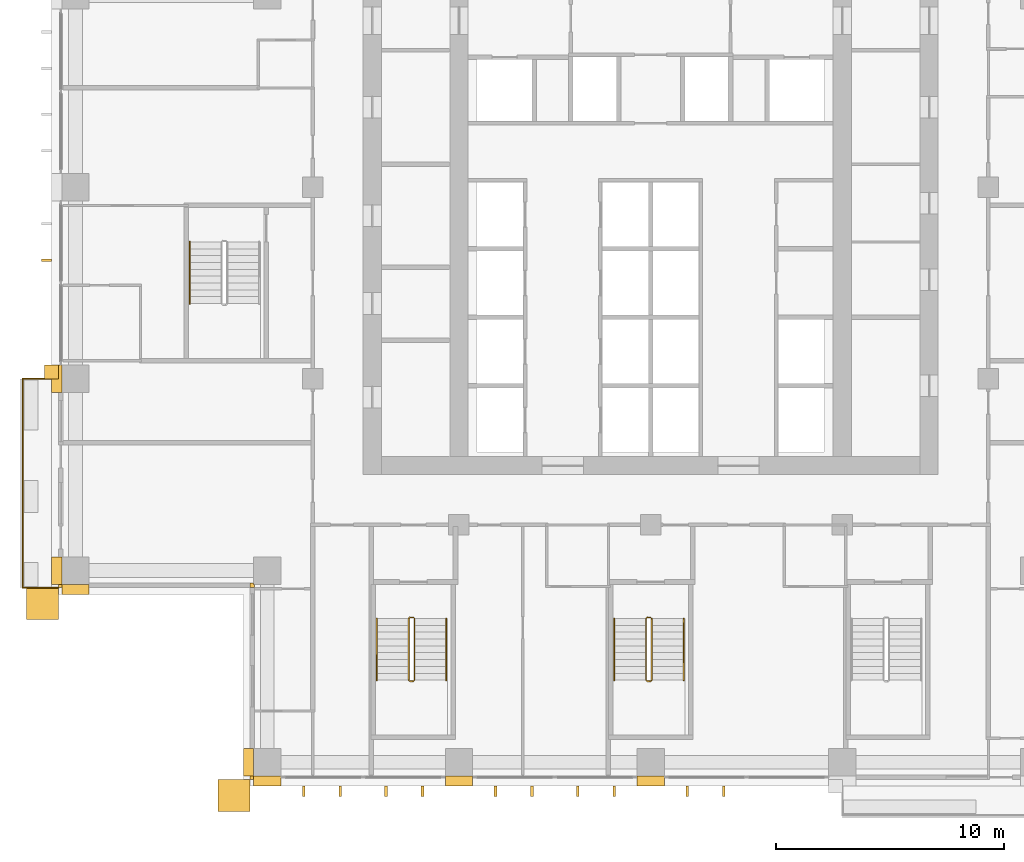
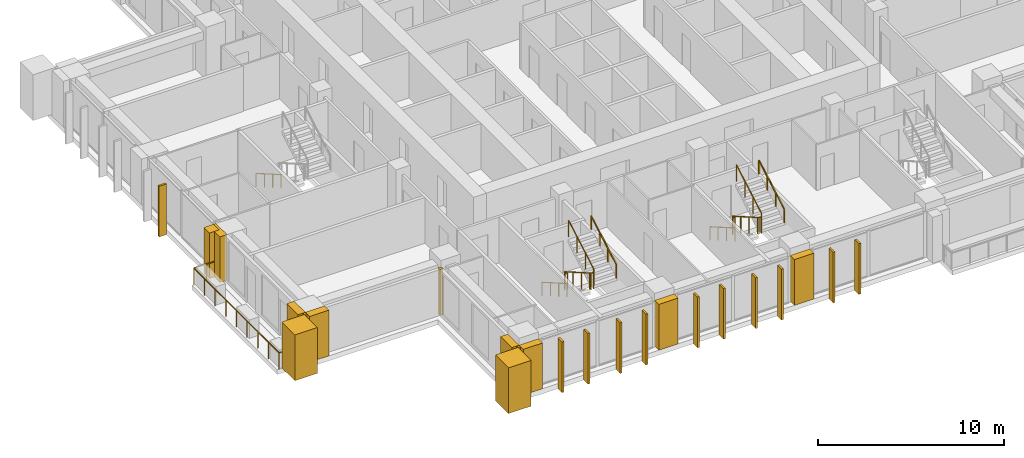
# One storey, part 17 of 21: 24 coverings, 8 railings.
"""IFC4 building model written with IfcOpenShell, lengths in metres."""

from ifc_helpers import new_model, si_unit, direction, frame, origin, origin_2d, place, context, subcontext, project, spatial, polyline, rectangle, outline, extrude, material, layer, layer_set, type_object, element, save


model = new_model("IFC4")

# Units and contexts
model_context = context("Model", 3, precision=1e-05, world=origin(), true_north=direction((0.0, 1.0)))
body_context = subcontext(model_context, "Body", "Model", "MODEL_VIEW")
ifc_project = project(units=[si_unit("LENGTHUNIT", "METRE"), si_unit("AREAUNIT", "SQUARE_METRE"), si_unit("VOLUMEUNIT", "CUBIC_METRE"), si_unit("PLANEANGLEUNIT", "RADIAN"), si_unit("MASSUNIT", "GRAM", prefix="KILO")], contexts=[model_context])

# Site, building, storey
site_placement = place(None, origin())
site = spatial("IfcSite", under=ifc_project, at=site_placement, CompositionType="ELEMENT")
building_placement = place(site_placement, origin())
building = spatial("IfcBuilding", under=site, at=building_placement, Name="Vermilion Ogive Tower", CompositionType="ELEMENT")
storey_placement = place(building_placement, frame((0.0, 0.0, 118.35009765625)))
storey = spatial("IfcBuildingStorey", under=building, at=storey_placement, Name="L30", CompositionType="ELEMENT", Elevation=118.35009765625)

# Railing
ifc_material_1 = material(Name="Stainless steel and glass", Category="steel")
railing_type_1 = type_object("IfcRailingType", Name="Balcony guard", PredefinedType="GUARDRAIL", material=ifc_material_1)
railing_1_placement = place(storey_placement, frame((-25.949951171875, -4.199951171875, -0.0400390625)))
element("IfcRailing", 1, at=railing_1_placement, inside=storey, type_object=railing_type_1, Name="Guard W03", PredefinedType="GUARDRAIL", context=body_context, shape_type="SweptSolid", body=[
    extrude(rectangle(XDim=0.048095703125, YDim=0.048095703125, at=origin_2d()), frame((0.0, 0.0, 1.076171875), z_axis=(-1.0, 0.0, 0.0), x_axis=(0.0, -1.0, 0.0)), (0.0, 0.0, 1.0), 1.56396484375),
    extrude(rectangle(XDim=0.048095703125, YDim=0.048095703125, at=origin_2d()), frame((-1.56396484375, 0.0, 1.076171875), z_axis=(0.0, -1.0, 0.0), x_axis=(1.0, 0.0, 0.0)), (0.0, 0.0, 1.0), 9.150146484375),
    extrude(rectangle(XDim=0.048095703125, YDim=0.048095703125, at=origin_2d()), frame((-1.56396484375, -9.150146484375, 1.076171875), z_axis=(1.0, 0.0, 0.0), x_axis=(0.0, 1.0, 0.0)), (0.0, 0.0, 1.0), 1.56396484375),
    extrude(rectangle(XDim=0.0419921875, YDim=0.0419921875, at=origin_2d()), origin(), (0.0, 0.0, 1.0), 1.052001953125),
    extrude(rectangle(XDim=0.0419921875, YDim=0.0419921875, at=origin_2d()), frame((-0.781982421875, 0.0, 0.0)), (0.0, 0.0, 1.0), 1.052001953125),
    extrude(rectangle(XDim=0.0419921875, YDim=0.0419921875, at=origin_2d()), frame((-1.56396484375, 0.0, 0.0)), (0.0, 0.0, 1.0), 1.052001953125),
    extrude(rectangle(XDim=0.0419921875, YDim=0.0419921875, at=origin_2d()), frame((-1.56396484375, -1.143798828125, 0.0)), (0.0, 0.0, 1.0), 1.052001953125),
    extrude(rectangle(XDim=0.0419921875, YDim=0.0419921875, at=origin_2d()), frame((-1.56396484375, -2.28759765625, 0.0)), (0.0, 0.0, 1.0), 1.052001953125),
    extrude(rectangle(XDim=0.0419921875, YDim=0.0419921875, at=origin_2d()), frame((-1.56396484375, -3.431396484375, 0.0)), (0.0, 0.0, 1.0), 1.052001953125),
    extrude(rectangle(XDim=0.0419921875, YDim=0.0419921875, at=origin_2d()), frame((-1.56396484375, -4.5751953125, 0.0)), (0.0, 0.0, 1.0), 1.052001953125),
    extrude(rectangle(XDim=0.0419921875, YDim=0.0419921875, at=origin_2d()), frame((-1.56396484375, -5.71875, 0.0)), (0.0, 0.0, 1.0), 1.052001953125),
    extrude(rectangle(XDim=0.0419921875, YDim=0.0419921875, at=origin_2d()), frame((-1.56396484375, -6.862548828125, 0.0)), (0.0, 0.0, 1.0), 1.052001953125),
    extrude(rectangle(XDim=0.0419921875, YDim=0.0419921875, at=origin_2d()), frame((-1.56396484375, -8.00634765625, 0.0)), (0.0, 0.0, 1.0), 1.052001953125),
    extrude(rectangle(XDim=0.0419921875, YDim=0.0419921875, at=origin_2d()), frame((-1.56396484375, -9.150146484375, 0.0)), (0.0, 0.0, 1.0), 1.052001953125),
    extrude(rectangle(XDim=0.0419921875, YDim=0.0419921875, at=origin_2d()), frame((-0.781982421875, -9.150146484375, 0.0)), (0.0, 0.0, 1.0), 1.052001953125),
    extrude(rectangle(XDim=0.0419921875, YDim=0.0419921875, at=origin_2d()), frame((0.0, -9.150146484375, 0.0)), (0.0, 0.0, 1.0), 1.052001953125),
])

# Coverings
ifc_material_2 = material(Name="Glazed ceramic screen")
ifc_layer = layer(ifc_material_2, 0.14990234375)
ifc_layer_set = layer_set([ifc_layer], Name="Ceramic solar screen fin")
covering_type_1 = type_object("IfcCoveringType", Name="Ceramic solar screen fin", PredefinedType="CLADDING", material=ifc_layer_set)
covering_1_placement = place(storey_placement, frame((0.0, 0.0, -0.320068359375)))
element("IfcCovering", 2, at=covering_1_placement, inside=storey, type_object=covering_type_1, Name="Solar screen blade S961", PredefinedType="CLADDING", context=body_context, shape_type="SweptSolid", body=[
    extrude(outline(polyline([(-15.260009765625, -22.5), (-15.139892578125, -22.5), (-15.139892578125, -22.050048828125), (-15.260009765625, -22.050048828125), (-15.260009765625, -22.5)])), origin(), (0.0, 0.0, 1.0), 3.320068359375),
])
covering_2_placement = place(storey_placement, frame((0.0, 0.0, -0.320068359375)))
element("IfcCovering", 3, at=covering_2_placement, inside=storey, type_object=covering_type_1, Name="Solar screen blade S962", PredefinedType="CLADDING", context=body_context, shape_type="SweptSolid", body=[
    extrude(outline(polyline([(-13.659912109375, -22.5), (-13.5400390625, -22.5), (-13.5400390625, -22.050048828125), (-13.659912109375, -22.050048828125), (-13.659912109375, -22.5)])), origin(), (0.0, 0.0, 1.0), 3.320068359375),
])
covering_3_placement = place(storey_placement, frame((0.0, 0.0, -0.320068359375)))
element("IfcCovering", 4, at=covering_3_placement, inside=storey, type_object=covering_type_1, Name="Solar screen blade S971", PredefinedType="CLADDING", context=body_context, shape_type="SweptSolid", body=[
    extrude(outline(polyline([(-11.659912109375, -22.5), (-11.5400390625, -22.5), (-11.5400390625, -22.050048828125), (-11.659912109375, -22.050048828125), (-11.659912109375, -22.5)])), origin(), (0.0, 0.0, 1.0), 3.320068359375),
])
covering_4_placement = place(storey_placement, frame((0.0, 0.0, -0.320068359375)))
element("IfcCovering", 5, at=covering_4_placement, inside=storey, type_object=covering_type_1, Name="Solar screen blade S972", PredefinedType="CLADDING", context=body_context, shape_type="SweptSolid", body=[
    extrude(outline(polyline([(-10.06005859375, -22.5), (-9.93994140625, -22.5), (-9.93994140625, -22.050048828125), (-10.06005859375, -22.050048828125), (-10.06005859375, -22.5)])), origin(), (0.0, 0.0, 1.0), 3.320068359375),
])
covering_5_placement = place(storey_placement, frame((0.0, 0.0, -0.320068359375)))
element("IfcCovering", 6, at=covering_5_placement, inside=storey, type_object=covering_type_1, Name="Solar screen blade S981", PredefinedType="CLADDING", context=body_context, shape_type="SweptSolid", body=[
    extrude(outline(polyline([(-6.860107421875, -22.5), (-6.739990234375, -22.5), (-6.739990234375, -22.050048828125), (-6.860107421875, -22.050048828125), (-6.860107421875, -22.5)])), origin(), (0.0, 0.0, 1.0), 3.320068359375),
])
covering_6_placement = place(storey_placement, frame((0.0, 0.0, -0.320068359375)))
element("IfcCovering", 7, at=covering_6_placement, inside=storey, type_object=covering_type_1, Name="Solar screen blade S982", PredefinedType="CLADDING", context=body_context, shape_type="SweptSolid", body=[
    extrude(outline(polyline([(-5.260009765625, -22.5), (-5.139892578125, -22.5), (-5.139892578125, -22.050048828125), (-5.260009765625, -22.050048828125), (-5.260009765625, -22.5)])), origin(), (0.0, 0.0, 1.0), 3.320068359375),
])
covering_7_placement = place(storey_placement, frame((0.0, 0.0, -0.320068359375)))
element("IfcCovering", 8, at=covering_7_placement, inside=storey, type_object=covering_type_1, Name="Solar screen blade S991", PredefinedType="CLADDING", context=body_context, shape_type="SweptSolid", body=[
    extrude(outline(polyline([(-3.260009765625, -22.5), (-3.139892578125, -22.5), (-3.139892578125, -22.050048828125), (-3.260009765625, -22.050048828125), (-3.260009765625, -22.5)])), origin(), (0.0, 0.0, 1.0), 3.320068359375),
])
covering_8_placement = place(storey_placement, frame((0.0, 0.0, -0.320068359375)))
element("IfcCovering", 9, at=covering_8_placement, inside=storey, type_object=covering_type_1, Name="Solar screen blade S992", PredefinedType="CLADDING", context=body_context, shape_type="SweptSolid", body=[
    extrude(outline(polyline([(-1.659912109375, -22.5), (-1.5400390625, -22.5), (-1.5400390625, -22.050048828125), (-1.659912109375, -22.050048828125), (-1.659912109375, -22.5)])), origin(), (0.0, 0.0, 1.0), 3.320068359375),
])
covering_9_placement = place(storey_placement, frame((0.0, 0.0, -0.320068359375)))
element("IfcCovering", 10, at=covering_9_placement, inside=storey, type_object=covering_type_1, Name="Solar screen blade S001", PredefinedType="CLADDING", context=body_context, shape_type="SweptSolid", body=[
    extrude(outline(polyline([(1.5400390625, -22.5), (1.659912109375, -22.5), (1.659912109375, -22.050048828125), (1.5400390625, -22.050048828125), (1.5400390625, -22.5)])), origin(), (0.0, 0.0, 1.0), 3.320068359375),
])
covering_10_placement = place(storey_placement, frame((0.0, 0.0, -0.320068359375)))
element("IfcCovering", 11, at=covering_10_placement, inside=storey, type_object=covering_type_1, Name="Solar screen blade S002", PredefinedType="CLADDING", context=body_context, shape_type="SweptSolid", body=[
    extrude(outline(polyline([(3.139892578125, -22.5), (3.260009765625, -22.5), (3.260009765625, -22.050048828125), (3.139892578125, -22.050048828125), (3.139892578125, -22.5)])), origin(), (0.0, 0.0, 1.0), 3.320068359375),
])
covering_11_placement = place(storey_placement, frame((0.0, 0.0, -0.320068359375)))
element("IfcCovering", 12, at=covering_11_placement, inside=storey, type_object=covering_type_1, Name="Solar screen blade W002", PredefinedType="CLADDING", context=body_context, shape_type="SweptSolid", body=[
    extrude(outline(polyline([(-26.699951171875, 1.06005859375), (-26.699951171875, 0.93994140625), (-26.25, 0.93994140625), (-26.25, 1.06005859375), (-26.699951171875, 1.06005859375)])), origin(), (0.0, 0.0, 1.0), 3.320068359375),
])

# Railings
ifc_material_3 = material(Name="Steel S355 painted", Category="steel")
railing_type_2 = type_object("IfcRailingType", Name="Stair guard 1100", PredefinedType="GUARDRAIL", material=ifc_material_3)
railing_2_placement = place(storey_placement, frame((-10.39990234375, -14.64990234375, 0.0)))
element("IfcRailing", 13, at=railing_2_placement, inside=storey, type_object=railing_type_2, Name="L30 ST3 stair guard 4", PredefinedType="GUARDRAIL", context=body_context, shape_type="SweptSolid", body=[
    extrude(rectangle(XDim=0.048095703125, YDim=0.048095703125, at=origin_2d()), frame((0.0, 0.0, 1.076171875), z_axis=(-1.0, 0.0, 0.0), x_axis=(0.0, -1.0, 0.0)), (0.0, 0.0, 1.0), 0.150146484375),
    extrude(rectangle(XDim=0.048095703125, YDim=0.048095703125, at=origin_2d()), frame((-0.150146484375, 0.0, 1.076171875), z_axis=(-0.268603158521, -0.268603158521, 0.925043072762), x_axis=(0.707106781187, -0.707106781187, 0.0)), (0.0, 0.0, 1.0), 0.186279296875),
    extrude(rectangle(XDim=0.048095703125, YDim=0.048095703125, at=origin_2d()), frame((-0.2001953125, -0.050048828125, 1.24853515625), z_axis=(0.0, -0.866903762492, 0.498475542607), x_axis=(1.0, 0.0, 0.0)), (0.0, 0.0, 1.0), 3.114501953125),
    extrude(rectangle(XDim=0.048095703125, YDim=0.048095703125, at=origin_2d()), frame((-0.2001953125, -2.75, 2.80078125), z_axis=(0.707106781187, -0.707106781187, 0.0), x_axis=(0.707106781187, 0.707106781187, 0.0)), (0.0, 0.0, 1.0), 0.07080078125),
    extrude(rectangle(XDim=0.048095703125, YDim=0.048095703125, at=origin_2d()), frame((-0.150146484375, -2.800048828125, 2.80078125), z_axis=(1.0, 0.0, 0.0), x_axis=(0.0, 1.0, 0.0)), (0.0, 0.0, 1.0), 0.150146484375),
    extrude(rectangle(XDim=0.048095703125, YDim=0.048095703125, at=origin_2d()), frame((0.0, -2.800048828125, 2.80078125), z_axis=(0.267062837333, 0.268371968888, 0.925556009775), x_axis=(-0.708833529934, 0.705375805398, 0.0)), (0.0, 0.0, 1.0), 0.1865234375),
    extrude(rectangle(XDim=0.048095703125, YDim=0.048095703125, at=origin_2d()), frame((0.0498046875, -2.75, 2.9736328125), z_axis=(0.0, 0.866903762492, 0.498475542607), x_axis=(-1.0, 0.0, 0.0)), (0.0, 0.0, 1.0), 3.114501953125),
    extrude(rectangle(XDim=0.0419921875, YDim=0.0419921875, at=origin_2d()), origin(), (0.0, 0.0, 1.0), 1.052001953125),
    extrude(rectangle(XDim=0.0419921875, YDim=0.0419921875, at=origin_2d()), frame((-0.150146484375, 0.0, 0.0)), (0.0, 0.0, 1.0), 1.052001953125),
    extrude(rectangle(XDim=0.0419921875, YDim=0.0419921875, at=origin_2d()), frame((-0.2001953125, -0.050048828125, 0.17236328125)), (0.0, 0.0, 1.0), 1.052001953125),
    extrude(rectangle(XDim=0.0419921875, YDim=0.0419921875, at=origin_2d()), frame((-0.2001953125, -0.949951171875, 0.68994140625)), (0.0, 0.0, 1.0), 1.052001953125),
    extrude(rectangle(XDim=0.0419921875, YDim=0.0419921875, at=origin_2d()), frame((-0.2001953125, -1.85009765625, 1.207275390625)), (0.0, 0.0, 1.0), 1.052001953125),
    extrude(rectangle(XDim=0.0419921875, YDim=0.0419921875, at=origin_2d()), frame((-0.2001953125, -2.75, 1.724853515625)), (0.0, 0.0, 1.0), 1.052001953125),
    extrude(rectangle(XDim=0.0419921875, YDim=0.0419921875, at=origin_2d()), frame((-0.150146484375, -2.800048828125, 1.724853515625)), (0.0, 0.0, 1.0), 1.052001953125),
    extrude(rectangle(XDim=0.0419921875, YDim=0.0419921875, at=origin_2d()), frame((0.0, -2.800048828125, 1.724853515625)), (0.0, 0.0, 1.0), 1.052001953125),
    extrude(rectangle(XDim=0.0419921875, YDim=0.0419921875, at=origin_2d()), frame((0.0498046875, -2.75, 1.8974609375)), (0.0, 0.0, 1.0), 1.052001953125),
    extrude(rectangle(XDim=0.0419921875, YDim=0.0419921875, at=origin_2d()), frame((0.0498046875, -1.85009765625, 2.4150390625)), (0.0, 0.0, 1.0), 1.052001953125),
    extrude(rectangle(XDim=0.0419921875, YDim=0.0419921875, at=origin_2d()), frame((0.0498046875, -0.949951171875, 2.932373046875)), (0.0, 0.0, 1.0), 1.052001953125),
    extrude(rectangle(XDim=0.0419921875, YDim=0.0419921875, at=origin_2d()), frame((0.0498046875, -0.050048828125, 3.449951171875)), (0.0, 0.0, 1.0), 1.052001953125),
])
railing_3_placement = place(storey_placement, frame((0.0, -14.64990234375, 0.0)))
element("IfcRailing", 14, at=railing_3_placement, inside=storey, type_object=railing_type_2, Name="L30 ST4 stair guard 4", PredefinedType="GUARDRAIL", context=body_context, shape_type="SweptSolid", body=[
    extrude(rectangle(XDim=0.048095703125, YDim=0.048095703125, at=origin_2d()), frame((0.0, 0.0, 1.076171875), z_axis=(-1.0, 0.0, 0.0), x_axis=(0.0, -1.0, 0.0)), (0.0, 0.0, 1.0), 0.14990234375),
    extrude(rectangle(XDim=0.048095703125, YDim=0.048095703125, at=origin_2d()), frame((-0.14990234375, 0.0, 1.076171875), z_axis=(-0.268603158521, -0.268603158521, 0.925043072762), x_axis=(0.707106781187, -0.707106781187, 0.0)), (0.0, 0.0, 1.0), 0.186279296875),
    extrude(rectangle(XDim=0.048095703125, YDim=0.048095703125, at=origin_2d()), frame((-0.199951171875, -0.050048828125, 1.24853515625), z_axis=(0.0, -0.866903762492, 0.498475542607), x_axis=(1.0, 0.0, 0.0)), (0.0, 0.0, 1.0), 3.114501953125),
    extrude(rectangle(XDim=0.048095703125, YDim=0.048095703125, at=origin_2d()), frame((-0.199951171875, -2.75, 2.80078125), z_axis=(0.707106781187, -0.707106781187, 0.0), x_axis=(0.707106781187, 0.707106781187, 0.0)), (0.0, 0.0, 1.0), 0.07080078125),
    extrude(rectangle(XDim=0.048095703125, YDim=0.048095703125, at=origin_2d()), frame((-0.14990234375, -2.800048828125, 2.80078125), z_axis=(1.0, 0.0, 0.0), x_axis=(0.0, 1.0, 0.0)), (0.0, 0.0, 1.0), 0.14990234375),
    extrude(rectangle(XDim=0.048095703125, YDim=0.048095703125, at=origin_2d()), frame((0.0, -2.800048828125, 2.80078125), z_axis=(0.268277960024, 0.268277960024, 0.925231793839), x_axis=(-0.707106781187, 0.707106781187, 0.0)), (0.0, 0.0, 1.0), 0.1865234375),
    extrude(rectangle(XDim=0.048095703125, YDim=0.048095703125, at=origin_2d()), frame((0.050048828125, -2.75, 2.9736328125), z_axis=(0.0, 0.866903762492, 0.498475542607), x_axis=(-1.0, 0.0, 0.0)), (0.0, 0.0, 1.0), 3.114501953125),
    extrude(rectangle(XDim=0.0419921875, YDim=0.0419921875, at=origin_2d()), origin(), (0.0, 0.0, 1.0), 1.052001953125),
    extrude(rectangle(XDim=0.0419921875, YDim=0.0419921875, at=origin_2d()), frame((-0.14990234375, 0.0, 0.0)), (0.0, 0.0, 1.0), 1.052001953125),
    extrude(rectangle(XDim=0.0419921875, YDim=0.0419921875, at=origin_2d()), frame((-0.199951171875, -0.050048828125, 0.17236328125)), (0.0, 0.0, 1.0), 1.052001953125),
    extrude(rectangle(XDim=0.0419921875, YDim=0.0419921875, at=origin_2d()), frame((-0.199951171875, -0.949951171875, 0.68994140625)), (0.0, 0.0, 1.0), 1.052001953125),
    extrude(rectangle(XDim=0.0419921875, YDim=0.0419921875, at=origin_2d()), frame((-0.199951171875, -1.85009765625, 1.207275390625)), (0.0, 0.0, 1.0), 1.052001953125),
    extrude(rectangle(XDim=0.0419921875, YDim=0.0419921875, at=origin_2d()), frame((-0.199951171875, -2.75, 1.724853515625)), (0.0, 0.0, 1.0), 1.052001953125),
    extrude(rectangle(XDim=0.0419921875, YDim=0.0419921875, at=origin_2d()), frame((-0.14990234375, -2.800048828125, 1.724853515625)), (0.0, 0.0, 1.0), 1.052001953125),
    extrude(rectangle(XDim=0.0419921875, YDim=0.0419921875, at=origin_2d()), frame((0.0, -2.800048828125, 1.724853515625)), (0.0, 0.0, 1.0), 1.052001953125),
    extrude(rectangle(XDim=0.0419921875, YDim=0.0419921875, at=origin_2d()), frame((0.050048828125, -2.75, 1.8974609375)), (0.0, 0.0, 1.0), 1.052001953125),
    extrude(rectangle(XDim=0.0419921875, YDim=0.0419921875, at=origin_2d()), frame((0.050048828125, -1.85009765625, 2.4150390625)), (0.0, 0.0, 1.0), 1.052001953125),
    extrude(rectangle(XDim=0.0419921875, YDim=0.0419921875, at=origin_2d()), frame((0.050048828125, -0.949951171875, 2.932373046875)), (0.0, 0.0, 1.0), 1.052001953125),
    extrude(rectangle(XDim=0.0419921875, YDim=0.0419921875, at=origin_2d()), frame((0.050048828125, -0.050048828125, 3.449951171875)), (0.0, 0.0, 1.0), 1.052001953125),
])
ifc_material_4 = material(Name="Stainless steel", Category="steel")
railing_type_3 = type_object("IfcRailingType", Name="Stair handrail 900", PredefinedType="HANDRAIL", material=ifc_material_4)
railing_4_placement = place(storey_placement, frame((-12.0, -14.699951171875, 0.17236328125)))
element("IfcRailing", 15, at=railing_4_placement, inside=storey, type_object=railing_type_3, Name="L30 ST3 stair handrail 1", PredefinedType="HANDRAIL", context=body_context, shape_type="SweptSolid", body=[
    extrude(rectangle(XDim=0.048095703125, YDim=0.048095703125, at=origin_2d()), frame((0.0, 0.0, 0.8759765625), z_axis=(0.0, -0.866903762492, 0.498475542607), x_axis=(1.0, 0.0, 0.0)), (0.0, 0.0, 1.0), 3.114501953125),
    extrude(rectangle(XDim=0.0419921875, YDim=0.0419921875, at=origin_2d()), origin(), (0.0, 0.0, 1.0), 0.851806640625),
    extrude(rectangle(XDim=0.0419921875, YDim=0.0419921875, at=origin_2d()), frame((0.0, -0.89990234375, 0.517578125)), (0.0, 0.0, 1.0), 0.851806640625),
    extrude(rectangle(XDim=0.0419921875, YDim=0.0419921875, at=origin_2d()), frame((0.0, -1.800048828125, 1.034912109375)), (0.0, 0.0, 1.0), 0.851806640625),
    extrude(rectangle(XDim=0.0419921875, YDim=0.0419921875, at=origin_2d()), frame((0.0, -2.699951171875, 1.552490234375)), (0.0, 0.0, 1.0), 0.851806640625),
])
railing_5_placement = place(storey_placement, frame((-8.949951171875, -17.39990234375, 1.8974609375)))
element("IfcRailing", 16, at=railing_5_placement, inside=storey, type_object=railing_type_3, Name="L30 ST3 stair handrail 2", PredefinedType="HANDRAIL", context=body_context, shape_type="SweptSolid", body=[
    extrude(rectangle(XDim=0.048095703125, YDim=0.048095703125, at=origin_2d()), frame((0.0, 0.0, 0.8759765625), z_axis=(0.0, 0.866903762492, 0.498475542607), x_axis=(-1.0, 0.0, 0.0)), (0.0, 0.0, 1.0), 3.114501953125),
    extrude(rectangle(XDim=0.0419921875, YDim=0.0419921875, at=origin_2d()), origin(), (0.0, 0.0, 1.0), 0.851806640625),
    extrude(rectangle(XDim=0.0419921875, YDim=0.0419921875, at=origin_2d()), frame((0.0, 0.89990234375, 0.517578125)), (0.0, 0.0, 1.0), 0.851806640625),
    extrude(rectangle(XDim=0.0419921875, YDim=0.0419921875, at=origin_2d()), frame((0.0, 1.800048828125, 1.034912109375)), (0.0, 0.0, 1.0), 0.851806640625),
    extrude(rectangle(XDim=0.0419921875, YDim=0.0419921875, at=origin_2d()), frame((0.0, 2.699951171875, 1.552490234375)), (0.0, 0.0, 1.0), 0.851806640625),
])
railing_6_placement = place(storey_placement, frame((-1.60009765625, -14.699951171875, 0.17236328125)))
element("IfcRailing", 17, at=railing_6_placement, inside=storey, type_object=railing_type_3, Name="L30 ST4 stair handrail 1", PredefinedType="HANDRAIL", context=body_context, shape_type="SweptSolid", body=[
    extrude(rectangle(XDim=0.048095703125, YDim=0.048095703125, at=origin_2d()), frame((0.0, 0.0, 0.8759765625), z_axis=(0.0, -0.866903762492, 0.498475542607), x_axis=(1.0, 0.0, 0.0)), (0.0, 0.0, 1.0), 3.114501953125),
    extrude(rectangle(XDim=0.0419921875, YDim=0.0419921875, at=origin_2d()), origin(), (0.0, 0.0, 1.0), 0.851806640625),
    extrude(rectangle(XDim=0.0419921875, YDim=0.0419921875, at=origin_2d()), frame((0.0, -0.89990234375, 0.517578125)), (0.0, 0.0, 1.0), 0.851806640625),
    extrude(rectangle(XDim=0.0419921875, YDim=0.0419921875, at=origin_2d()), frame((0.0, -1.800048828125, 1.034912109375)), (0.0, 0.0, 1.0), 0.851806640625),
    extrude(rectangle(XDim=0.0419921875, YDim=0.0419921875, at=origin_2d()), frame((0.0, -2.699951171875, 1.552490234375)), (0.0, 0.0, 1.0), 0.851806640625),
])
railing_7_placement = place(storey_placement, frame((1.449951171875, -17.39990234375, 1.8974609375)))
element("IfcRailing", 18, at=railing_7_placement, inside=storey, type_object=railing_type_3, Name="L30 ST4 stair handrail 2", PredefinedType="HANDRAIL", context=body_context, shape_type="SweptSolid", body=[
    extrude(rectangle(XDim=0.048095703125, YDim=0.048095703125, at=origin_2d()), frame((0.0, 0.0, 0.8759765625), z_axis=(0.0, 0.866903762492, 0.498475542607), x_axis=(-1.0, 0.0, 0.0)), (0.0, 0.0, 1.0), 3.114501953125),
    extrude(rectangle(XDim=0.0419921875, YDim=0.0419921875, at=origin_2d()), origin(), (0.0, 0.0, 1.0), 0.851806640625),
    extrude(rectangle(XDim=0.0419921875, YDim=0.0419921875, at=origin_2d()), frame((0.0, 0.89990234375, 0.517578125)), (0.0, 0.0, 1.0), 0.851806640625),
    extrude(rectangle(XDim=0.0419921875, YDim=0.0419921875, at=origin_2d()), frame((0.0, 1.800048828125, 1.034912109375)), (0.0, 0.0, 1.0), 0.851806640625),
    extrude(rectangle(XDim=0.0419921875, YDim=0.0419921875, at=origin_2d()), frame((0.0, 2.699951171875, 1.552490234375)), (0.0, 0.0, 1.0), 0.851806640625),
])
railing_8_placement = place(storey_placement, frame((-20.199951171875, 1.800048828125, 0.17236328125)))
element("IfcRailing", 19, at=railing_8_placement, inside=storey, type_object=railing_type_3, Name="L30 ST9 stair handrail 1", PredefinedType="HANDRAIL", context=body_context, shape_type="SweptSolid", body=[
    extrude(rectangle(XDim=0.048095703125, YDim=0.048095703125, at=origin_2d()), frame((0.0, 0.0, 0.8759765625), z_axis=(0.0, -0.866903762492, 0.498475542607), x_axis=(1.0, 0.0, 0.0)), (0.0, 0.0, 1.0), 3.114501953125),
    extrude(rectangle(XDim=0.0419921875, YDim=0.0419921875, at=origin_2d()), origin(), (0.0, 0.0, 1.0), 0.851806640625),
    extrude(rectangle(XDim=0.0419921875, YDim=0.0419921875, at=origin_2d()), frame((0.0, -0.89990234375, 0.517578125)), (0.0, 0.0, 1.0), 0.851806640625),
    extrude(rectangle(XDim=0.0419921875, YDim=0.0419921875, at=origin_2d()), frame((0.0, -1.800048828125, 1.034912109375)), (0.0, 0.0, 1.0), 0.851806640625),
    extrude(rectangle(XDim=0.0419921875, YDim=0.0419921875, at=origin_2d()), frame((0.0, -2.699951171875, 1.552490234375)), (0.0, 0.0, 1.0), 0.851806640625),
])

# Coverings
ifc_material_5 = material(Name="Stone cladding", Category="masonry")
covering_type_2 = type_object("IfcCoveringType", Name="Stone corner buttress", PredefinedType="CLADDING", material=ifc_material_5)
covering_12_placement = place(storey_placement, origin())
element("IfcCovering", 20, at=covering_12_placement, inside=storey, type_object=covering_type_2, Name="Stone crease pier WK", PredefinedType="CLADDING", context=body_context, shape_type="SweptSolid", body=[
    extrude(outline(polyline([(-26.550048828125, -3.60009765625), (-26.550048828125, -4.199951171875), (-25.949951171875, -4.199951171875), (-25.949951171875, -3.60009765625), (-26.550048828125, -3.60009765625)])), origin(), (0.0, 0.0, 1.0), 3.0),
])
covering_13_placement = place(storey_placement, origin())
element("IfcCovering", 21, at=covering_13_placement, inside=storey, type_object=covering_type_2, Name="Stone corner buttress S1", PredefinedType="CLADDING", context=body_context, shape_type="SweptSolid", body=[
    extrude(outline(polyline([(-18.949951171875, -23.14990234375), (-18.949951171875, -21.75), (-17.550048828125, -21.75), (-17.550048828125, -23.14990234375), (-18.949951171875, -23.14990234375)])), origin(), (0.0, 0.0, 1.0), 3.0),
])
covering_14_placement = place(storey_placement, origin())
element("IfcCovering", 22, at=covering_14_placement, inside=storey, type_object=covering_type_2, Name="Stone corner buttress X71", PredefinedType="CLADDING", context=body_context, shape_type="SweptSolid", body=[
    extrude(outline(polyline([(-25.949951171875, -14.75), (-27.35009765625, -14.75), (-27.35009765625, -13.35009765625), (-26.25, -13.35009765625), (-25.949951171875, -13.35009765625), (-25.949951171875, -14.75)])), origin(), (0.0, 0.0, 1.0), 3.0),
])
ifc_material_6 = material(Name="Stone cladding", Category="masonry")
covering_type_3 = type_object("IfcCoveringType", Name="Stone pier", PredefinedType="CLADDING", material=ifc_material_6)
covering_15_placement = place(storey_placement, origin())
element("IfcCovering", 23, at=covering_15_placement, inside=storey, type_object=covering_type_3, Name="Stone pier P+0000-210", PredefinedType="CLADDING", context=body_context, shape_type="SweptSolid", body=[
    extrude(outline(polyline([(0.60009765625, -21.60009765625), (0.60009765625, -21.60009765625), (0.60009765625, -22.050048828125), (-0.60009765625, -22.050048828125), (-0.60009765625, -21.60009765625), (-0.60009765625, -21.60009765625), (0.60009765625, -21.60009765625)])), origin(), (0.0, 0.0, 1.0), 3.0),
])
covering_16_placement = place(storey_placement, origin())
element("IfcCovering", 24, at=covering_16_placement, inside=storey, type_object=covering_type_3, Name="Stone pier P-0084-210", PredefinedType="CLADDING", context=body_context, shape_type="SweptSolid", body=[
    extrude(outline(polyline([(-7.800048828125, -22.050048828125), (-9.0, -22.050048828125), (-9.0, -21.60009765625), (-7.800048828125, -21.60009765625), (-7.800048828125, -22.050048828125)])), origin(), (0.0, 0.0, 1.0), 3.0),
])
covering_17_placement = place(storey_placement, origin())
element("IfcCovering", 25, at=covering_17_placement, inside=storey, type_object=covering_type_3, Name="Stone pier P-0168-210S", PredefinedType="CLADDING", context=body_context, shape_type="SweptSolid", body=[
    extrude(outline(polyline([(-16.199951171875, -22.050048828125), (-17.39990234375, -22.050048828125), (-17.39990234375, -21.60009765625), (-16.199951171875, -21.60009765625), (-16.199951171875, -22.050048828125)])), origin(), (0.0, 0.0, 1.0), 3.0),
])
covering_18_placement = place(storey_placement, origin())
element("IfcCovering", 26, at=covering_18_placement, inside=storey, type_object=covering_type_3, Name="Stone pier P-0168-210X8", PredefinedType="CLADDING", context=body_context, shape_type="SweptSolid", body=[
    extrude(outline(polyline([(-17.85009765625, -20.39990234375), (-17.39990234375, -20.39990234375), (-17.39990234375, -21.60009765625), (-17.85009765625, -21.60009765625), (-17.85009765625, -20.39990234375)])), origin(), (0.0, 0.0, 1.0), 3.0),
])
covering_19_placement = place(storey_placement, origin())
element("IfcCovering", 27, at=covering_19_placement, inside=storey, type_object=covering_type_3, Name="Stone pier P-0252-042", PredefinedType="CLADDING", context=body_context, shape_type="SweptSolid", body=[
    extrude(outline(polyline([(-25.800048828125, -4.800048828125), (-25.800048828125, -4.800048828125), (-26.25, -4.800048828125), (-26.25, -4.199951171875), (-25.949951171875, -4.199951171875), (-25.949951171875, -3.60009765625), (-26.25, -3.60009765625), (-26.25, -3.60009765625), (-25.800048828125, -3.60009765625), (-25.800048828125, -3.60009765625), (-25.800048828125, -4.800048828125)])), origin(), (0.0, 0.0, 1.0), 3.0),
])
covering_20_placement = place(storey_placement, origin())
element("IfcCovering", 28, at=covering_20_placement, inside=storey, type_object=covering_type_3, Name="Stone pier P-0252-126W", PredefinedType="CLADDING", context=body_context, shape_type="SweptSolid", body=[
    extrude(outline(polyline([(-25.800048828125, -13.199951171875), (-25.800048828125, -13.199951171875), (-26.25, -13.199951171875), (-26.25, -12.0), (-25.800048828125, -12.0), (-25.800048828125, -12.0), (-25.800048828125, -13.199951171875)])), origin(), (0.0, 0.0, 1.0), 3.0),
])
covering_21_placement = place(storey_placement, origin())
element("IfcCovering", 29, at=covering_21_placement, inside=storey, type_object=covering_type_3, Name="Stone pier P-0252-126X7", PredefinedType="CLADDING", context=body_context, shape_type="SweptSolid", body=[
    extrude(outline(polyline([(-25.800048828125, -13.64990234375), (-25.800048828125, -13.199951171875), (-25.800048828125, -13.199951171875), (-24.60009765625, -13.199951171875), (-24.60009765625, -13.64990234375), (-25.800048828125, -13.64990234375)])), origin(), (0.0, 0.0, 1.0), 3.0),
])
covering_22_placement = place(storey_placement, origin())
element("IfcCovering", 30, at=covering_22_placement, inside=storey, type_object=covering_type_3, Name="Stone corner pier WE1", PredefinedType="CLADDING", context=body_context, shape_type="SweptSolid", body=[
    extrude(outline(polyline([(-25.949951171875, -13.199951171875), (-25.800048828125, -13.199951171875), (-25.800048828125, -13.35009765625), (-25.949951171875, -13.35009765625), (-25.949951171875, -13.199951171875)])), origin(), (0.0, 0.0, 1.0), 3.0),
])
covering_23_placement = place(storey_placement, origin())
element("IfcCovering", 31, at=covering_23_placement, inside=storey, type_object=covering_type_3, Name="Stone corner pier X7E1", PredefinedType="CLADDING", context=body_context, shape_type="SweptSolid", body=[
    extrude(outline(polyline([(-17.39990234375, -13.14990234375), (-17.39990234375, -13.199951171875), (-17.35009765625, -13.199951171875), (-17.35009765625, -13.35009765625), (-17.550048828125, -13.35009765625), (-17.550048828125, -13.14990234375), (-17.39990234375, -13.14990234375)])), origin(), (0.0, 0.0, 1.0), 3.0),
])
covering_24_placement = place(storey_placement, origin())
element("IfcCovering", 32, at=covering_24_placement, inside=storey, type_object=covering_type_3, Name="Stone corner pier X8E1", PredefinedType="CLADDING", context=body_context, shape_type="SweptSolid", body=[
    extrude(outline(polyline([(-17.550048828125, -21.60009765625), (-17.39990234375, -21.60009765625), (-17.39990234375, -21.60009765625), (-17.39990234375, -21.75), (-17.550048828125, -21.75), (-17.550048828125, -21.60009765625)])), origin(), (0.0, 0.0, 1.0), 3.0),
])

save(model, "model.ifc")
